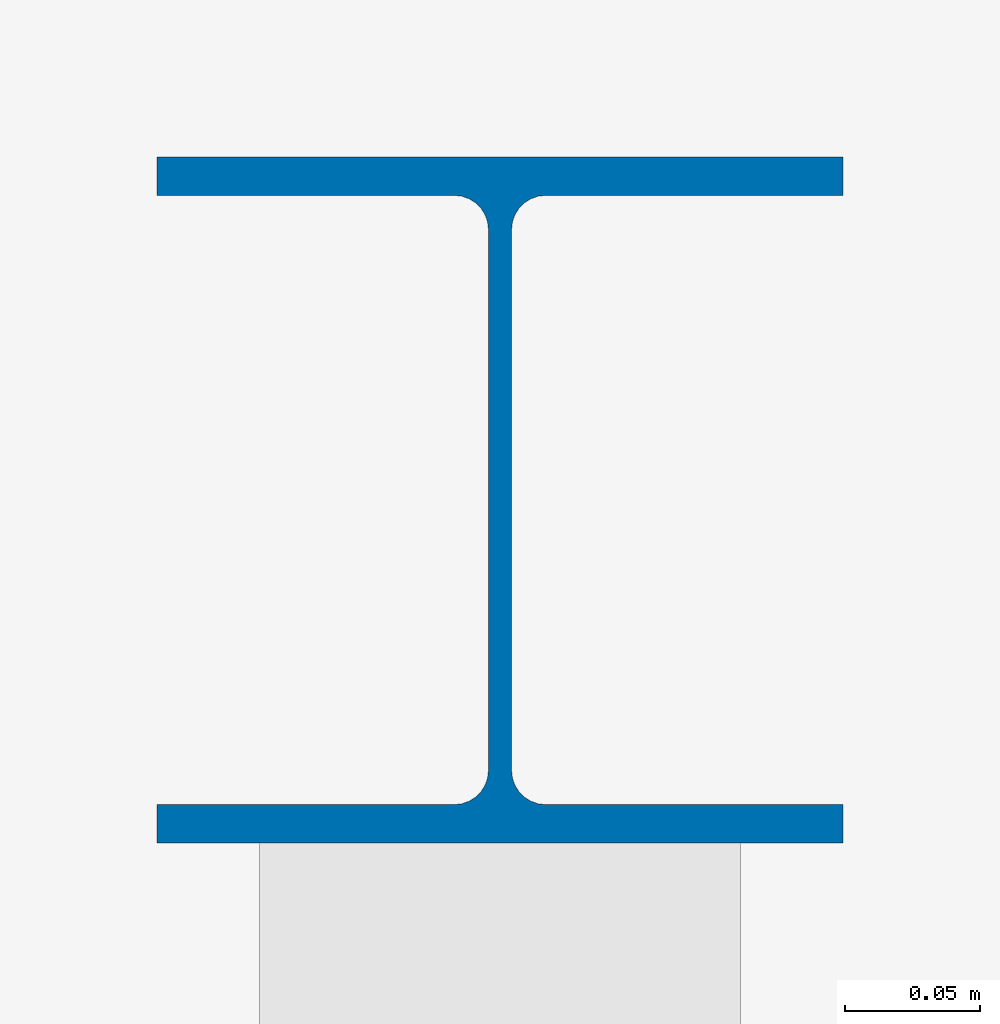
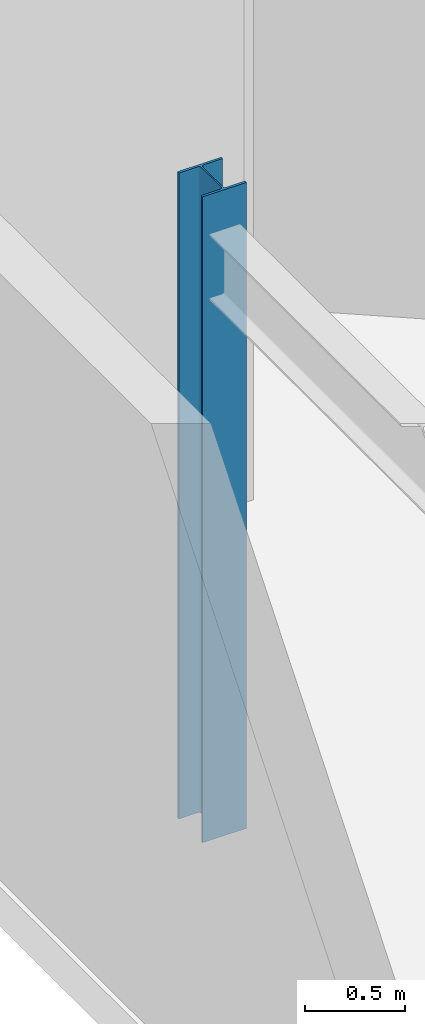
# One storey, part 4 of 19: 1 column.
"""IFC4 building model written with IfcOpenShell, lengths in metres."""

from ifc_helpers import new_model, si_unit, direction, frame, origin, origin_2d, place, context, subcontext, project, spatial, i_section, extrude, material, material_profile, profile_set, type_object, element, save


model = new_model("IFC4")

# Units and contexts
model_context = context("Model", 3, precision=1e-05, world=origin(), true_north=direction((0.0, 1.0)))
body_context = subcontext(model_context, "Body", "Model", "MODEL_VIEW")
ifc_project = project(units=[si_unit("LENGTHUNIT", "METRE"), si_unit("AREAUNIT", "SQUARE_METRE"), si_unit("VOLUMEUNIT", "CUBIC_METRE"), si_unit("PLANEANGLEUNIT", "RADIAN"), si_unit("MASSUNIT", "GRAM", prefix="KILO")], contexts=[model_context])

# Site, building, storey
site_placement = place(None, origin())
site = spatial("IfcSite", under=ifc_project, at=site_placement, CompositionType="ELEMENT")
building_placement = place(site_placement, origin())
building = spatial("IfcBuilding", under=site, at=building_placement, Name="Varnakote Quay Hospital", CompositionType="ELEMENT")
storey_placement = place(building_placement, frame((0.0, 0.0, 240.75)))
storey = spatial("IfcBuildingStorey", under=building, at=storey_placement, Name="L59", CompositionType="ELEMENT", Elevation=240.75)

# Column
ifc_material = material(Name="Structural steel AS/NZS 3679.1 Grade 350 L0 (fy 340 MPa)", Category="steel")
ifc_material_profile = material_profile(ifc_material, i_section(OverallWidth=0.25390625, OverallDepth=0.25390625, WebThickness=0.008544921875, FlangeThickness=0.01416015625, FilletRadius=0.0126953125, at=origin_2d()), Name="250UC72.9")
ifc_profile_set = profile_set([ifc_material_profile], Name="Structural steel AS/NZS 3679.1 Grade 350 L0 (fy 340 MPa)")
column_type = type_object("IfcColumnType", Name="COL-STL-250UC72-9", PredefinedType="COLUMN", material=ifc_profile_set)
column_placement = place(storey_placement, frame((1.199951171875, 37.199951171875, 0.0), z_axis=(0.0, 0.0, 1.0), x_axis=(1.0, 0.0, 0.0)))
element("IfcColumn", 1, at=column_placement, inside=storey, type_object=column_type, Name="L59 Structural Column C-1-37", PredefinedType="COLUMN", context=body_context, shape_type="SweptSolid", body=[
    extrude(i_section(OverallWidth=0.25390625, OverallDepth=0.25390625, WebThickness=0.008544921875, FlangeThickness=0.01416015625, FilletRadius=0.0126953125, at=origin_2d()), origin(), (0.0, 0.0, 1.0), 3.949951171875),
])

save(model, "model.ifc")
